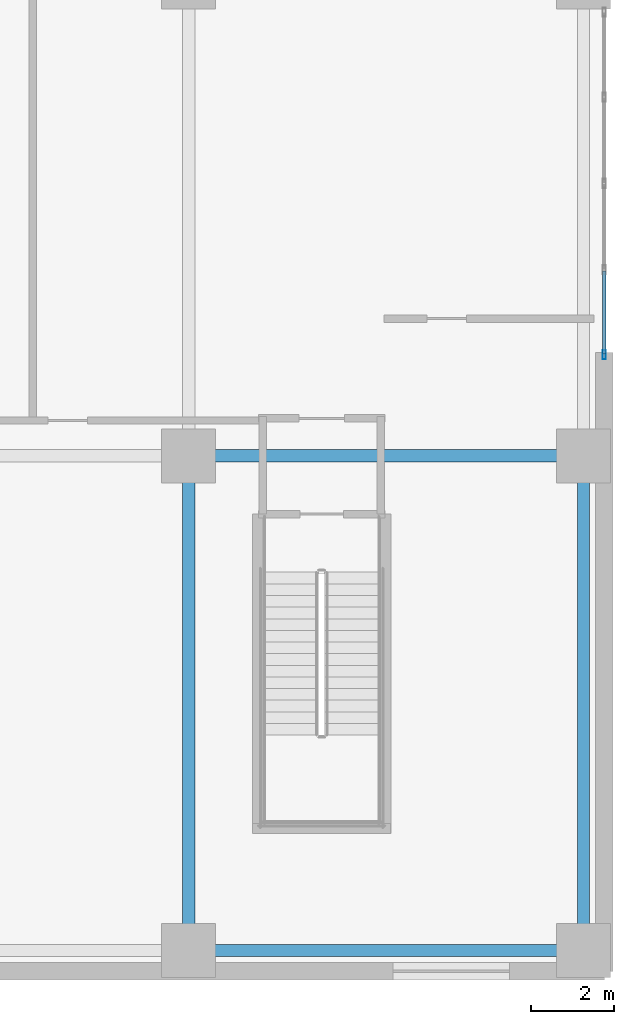
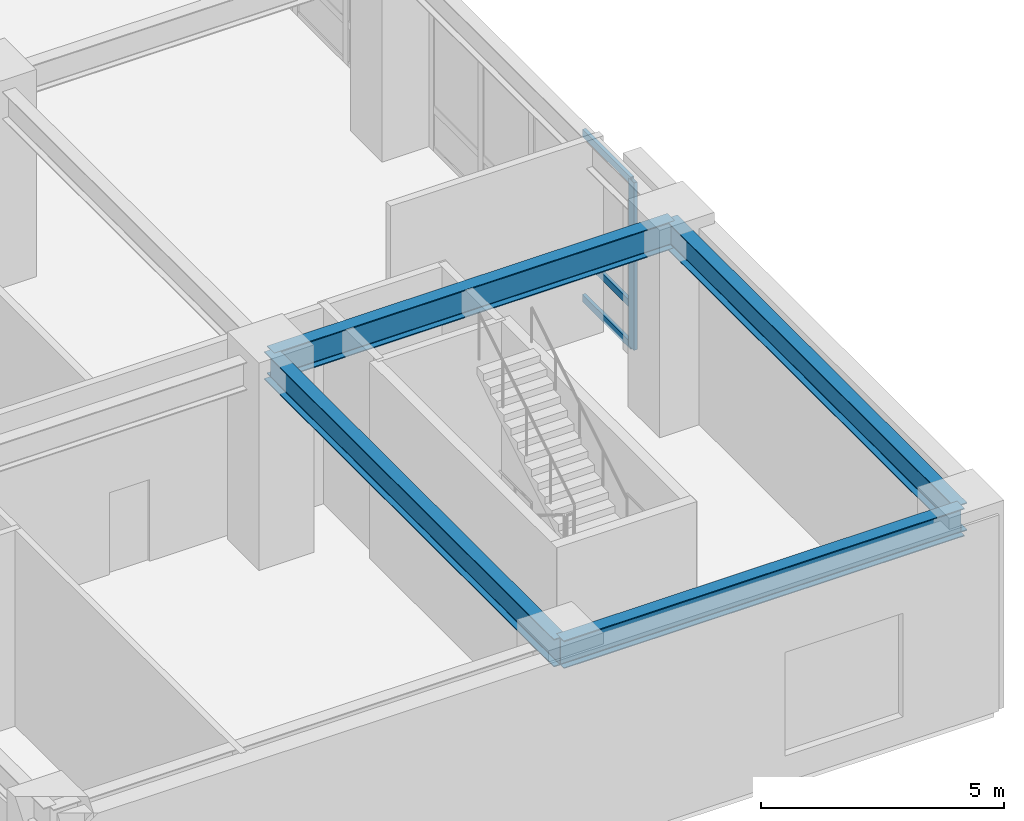
# One storey, part 14 of 26: 4 beams, 4 members, 1 element without a shape of its own.
"""IFC4 building model written with IfcOpenShell, lengths in metres."""

from ifc_helpers import new_model, si_unit, direction, frame, origin, origin_2d, place, context, subcontext, project, spatial, hollow_rectangle, i_section, extrude, material, layer, layer_set, material_profile, profile_set, type_object, element, aggregate, save


model = new_model("IFC4")

# Units and contexts
model_context = context("Model", 3, precision=1e-05, world=origin(), true_north=direction((0.0, 1.0)))
body_context = subcontext(model_context, "Body", "Model", "MODEL_VIEW")
ifc_project = project(units=[si_unit("LENGTHUNIT", "METRE"), si_unit("AREAUNIT", "SQUARE_METRE"), si_unit("VOLUMEUNIT", "CUBIC_METRE"), si_unit("PLANEANGLEUNIT", "RADIAN"), si_unit("MASSUNIT", "GRAM", prefix="KILO")], contexts=[model_context])

# Site, building, storey
site_placement = place(None, origin())
site = spatial("IfcSite", under=ifc_project, at=site_placement, CompositionType="ELEMENT")
building_placement = place(site_placement, origin())
building = spatial("IfcBuilding", under=site, at=building_placement, Name="Voryun Gate Residences", CompositionType="ELEMENT")
storey_placement = place(building_placement, frame((0.0, 0.0, 10.39990234375)))
storey = spatial("IfcBuildingStorey", under=building, at=storey_placement, Name="L02", CompositionType="ELEMENT", Elevation=10.39990234375)

# Beams
ifc_material_1 = material(Name="Steel SM355", Category="steel")
ifc_material_profile_1 = material_profile(ifc_material_1, i_section(OverallWidth=0.300048828125, OverallDepth=0.699951171875, WebThickness=0.012939453125, FlangeThickness=0.02392578125, FilletRadius=0.01806640625, at=origin_2d()), Name="H-700x300x13x24")
ifc_profile_set_1 = profile_set([ifc_material_profile_1], Name="Steel SM355")
beam_type = type_object("IfcBeamType", Name="BM_GIRD_700", PredefinedType="USERDEFINED", material=ifc_profile_set_1)
for number, where, z_axis, x_axis, name in (
    (1, (25.60009765625, -23.300048828125, 4.570068359375), (1.0, 0.0, 0.0), (0.0, 1.0, 0.0), "BM-L02-PEX--23.3-1"),
    (2, (25.60009765625, -11.39990234375, 4.570068359375), (1.0, 0.0, 0.0), (0.0, 1.0, 0.0), "BM-L02-PEX--11.4-1"),
):
    element("IfcBeam", number, at=place(storey_placement, frame(where, z_axis=z_axis, x_axis=x_axis)), inside=storey, type_object=beam_type, Name=name, ObjectType="GIRDER", PredefinedType="USERDEFINED", context=body_context, shape_type="SweptSolid", body=[
        extrude(i_section(OverallWidth=0.300048828125, OverallDepth=0.699951171875, WebThickness=0.012939453125, FlangeThickness=0.02392578125, FilletRadius=0.01806640625, at=origin_2d()), origin(), (0.0, 0.0, 1.0), 9.5),
    ])
for number, where, z_axis, x_axis, name in (
    (3, (25.60009765625, -23.300048828125, 4.570068359375), (0.0, 1.0, 0.0), (-1.0, 0.0, 0.0), "BM-L02-PEY-+25.6-0"),
    (4, (35.10009765625, -23.300048828125, 4.570068359375), (0.0, 1.0, 0.0), (-1.0, 0.0, 0.0), "BM-L02-PEY-+35.1-0"),
):
    element("IfcBeam", number, at=place(storey_placement, frame(where, z_axis=z_axis, x_axis=x_axis)), inside=storey, type_object=beam_type, Name=name, ObjectType="GIRDER", PredefinedType="USERDEFINED", context=body_context, shape_type="SweptSolid", body=[
        extrude(i_section(OverallWidth=0.300048828125, OverallDepth=0.699951171875, WebThickness=0.012939453125, FlangeThickness=0.02392578125, FilletRadius=0.01806640625, at=origin_2d()), origin(), (0.0, 0.0, 1.0), 11.900146484375),
    ])

# Curtain wall, members
ifc_material_2 = material(Name="Anodised aluminium", Category="aluminium")
ifc_layer = layer(ifc_material_2, 0.219970703125, Name="CW_SYS_POD_DARK_GLASS")
ifc_layer_set = layer_set([ifc_layer], Name="Anodised aluminium")
curtain_wall_type = type_object("IfcCurtainWallType", Name="CW_SYS_POD_DARK_GLASS", PredefinedType="NOTDEFINED", material=ifc_layer_set)
curtain_wall_placement = place(storey_placement, origin())
curtain_wall = element("IfcCurtainWall", 5, at=curtain_wall_placement, inside=storey, type_object=curtain_wall_type, Name="Curtain wall CW1-L02-EPE-S", PredefinedType="NOTDEFINED")
ifc_material_3 = material(Name="Anodised aluminium", Category="aluminium")
ifc_material_profile_2 = material_profile(ifc_material_3, hollow_rectangle(XDim=0.080078125, YDim=0.219970703125, WallThickness=0.0048828125, at=origin_2d()), Name="ALU-MULL-220x80x5")
ifc_profile_set_2 = profile_set([ifc_material_profile_2], Name="Anodised aluminium")
member_type_1 = type_object("IfcMemberType", Name="CW_MULL_POD", PredefinedType="MULLION", material=ifc_profile_set_2)
member_1_placement = place(storey_placement, frame((35.60009765625, -8.969970703125, 0.0), z_axis=(0.0, 0.0, 1.0), x_axis=(-1.0, 0.0, 0.0)))
member_1 = element("IfcMember", 6, at=member_1_placement, type_object=member_type_1, Name="CW1 mullion 1", PredefinedType="MULLION", context=body_context, shape_type="SweptSolid", body=[
    extrude(hollow_rectangle(XDim=0.080078125, YDim=0.219970703125, WallThickness=0.0048828125, at=origin_2d()), origin(), (0.0, 0.0, 1.0), 4.2001953125),
])
ifc_material_4 = material(Name="Anodised aluminium", Category="aluminium")
ifc_material_profile_3 = material_profile(ifc_material_4, hollow_rectangle(XDim=0.080078125, YDim=0.179931640625, WallThickness=0.0048828125, at=origin_2d()), Name="ALU-TRAN-180x80x5")
ifc_profile_set_3 = profile_set([ifc_material_profile_3], Name="Anodised aluminium")
member_type_2 = type_object("IfcMemberType", Name="CW_TRAN_POD", PredefinedType="USERDEFINED", material=ifc_profile_set_3)
member_2_placement = place(storey_placement, frame((35.60009765625, -8.93994140625, 0.030029296875), z_axis=(0.0, 1.0, 0.0), x_axis=(-1.0, 0.0, 0.0)))
member_2 = element("IfcMember", 7, at=member_2_placement, type_object=member_type_2, Name="CW1 transom 1.1", ObjectType="TRANSOM", PredefinedType="USERDEFINED", context=body_context, shape_type="SweptSolid", body=[
    extrude(hollow_rectangle(XDim=0.080078125, YDim=0.179931640625, WallThickness=0.0048828125, at=origin_2d()), origin(), (0.0, 0.0, 1.0), 1.986083984375),
])
member_3_placement = place(storey_placement, frame((35.60009765625, -8.93994140625, 1.050048828125), z_axis=(0.0, 1.0, 0.0), x_axis=(-1.0, 0.0, 0.0)))
member_3 = element("IfcMember", 8, at=member_3_placement, type_object=member_type_2, Name="CW1 transom 1.2", ObjectType="TRANSOM", PredefinedType="USERDEFINED", context=body_context, shape_type="SweptSolid", body=[
    extrude(hollow_rectangle(XDim=0.080078125, YDim=0.179931640625, WallThickness=0.0048828125, at=origin_2d()), origin(), (0.0, 0.0, 1.0), 1.986083984375),
])
member_4_placement = place(storey_placement, frame((35.60009765625, -8.93994140625, 4.170166015625), z_axis=(0.0, 1.0, 0.0), x_axis=(-1.0, 0.0, 0.0)))
member_4 = element("IfcMember", 9, at=member_4_placement, type_object=member_type_2, Name="CW1 transom 1.3", ObjectType="TRANSOM", PredefinedType="USERDEFINED", context=body_context, shape_type="SweptSolid", body=[
    extrude(hollow_rectangle(XDim=0.080078125, YDim=0.179931640625, WallThickness=0.0048828125, at=origin_2d()), origin(), (0.0, 0.0, 1.0), 1.986083984375),
])
aggregate(curtain_wall, [member_1, member_2, member_3, member_4])

save(model, "model.ifc")
